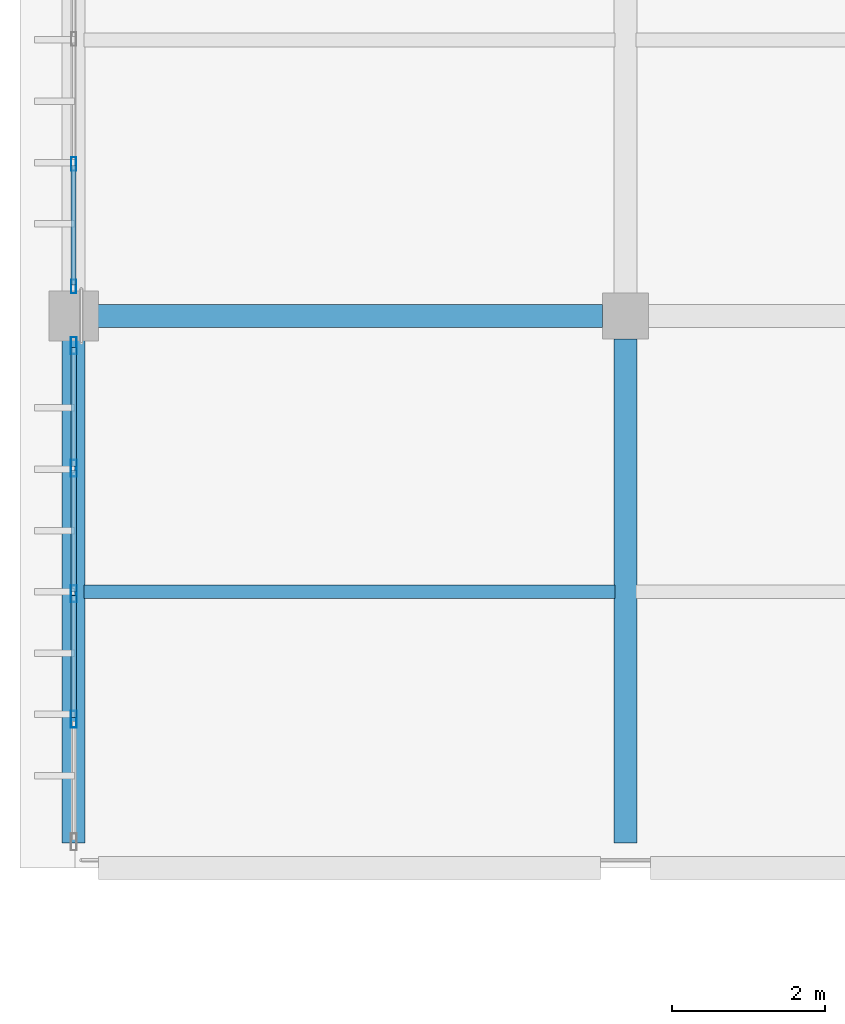
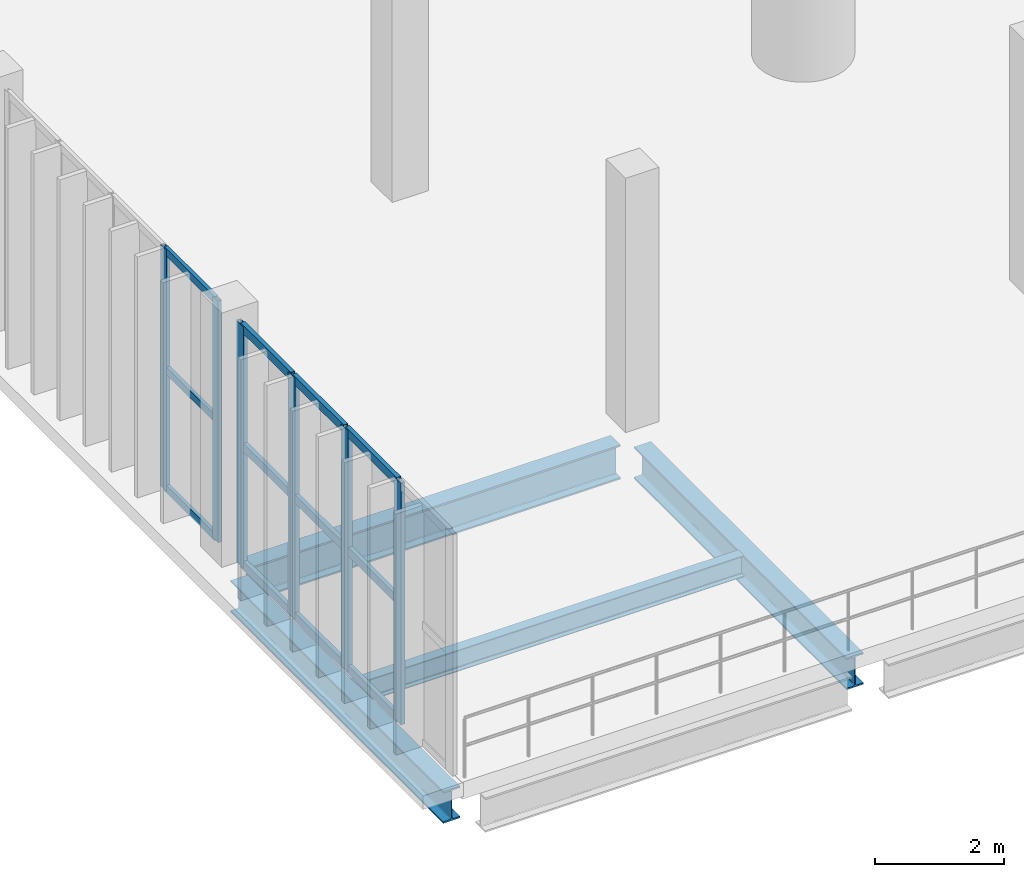
# One storey, part 5 of 105: 18 members, 4 beams, 2 elements without a shape of their own.
"""IFC4 building model written with IfcOpenShell, lengths in metres."""

from ifc_helpers import new_model, si_unit, direction, frame, origin, origin_2d, place, context, subcontext, project, spatial, hollow_rectangle, i_section, extrude, material, material_profile, profile_set, type_object, element, aggregate, save


model = new_model("IFC4")

# Units and contexts
model_context = context("Model", 3, precision=1e-05, world=origin(), true_north=direction((0.0, 1.0)))
body_context = subcontext(model_context, "Body", "Model", "MODEL_VIEW")
ifc_project = project(units=[si_unit("LENGTHUNIT", "METRE"), si_unit("AREAUNIT", "SQUARE_METRE"), si_unit("VOLUMEUNIT", "CUBIC_METRE"), si_unit("PLANEANGLEUNIT", "RADIAN"), si_unit("MASSUNIT", "GRAM", prefix="KILO")], contexts=[model_context])

# Site, building, storey
site_placement = place(None, origin())
site = spatial("IfcSite", under=ifc_project, at=site_placement, CompositionType="ELEMENT")
building_placement = place(site_placement, origin())
building = spatial("IfcBuilding", under=site, at=building_placement, Name="Qandorah Velis Arena", CompositionType="ELEMENT")
storey_placement = place(building_placement, frame((0.0, 0.0, 13.800048828125)))
storey = spatial("IfcBuildingStorey", under=building, at=storey_placement, Name="L03", CompositionType="ELEMENT", Elevation=13.800048828125)

# Curtain wall, members
ifc_material_1 = material(Name="Solar-control low-E double glazing", Category="glass")
curtain_wall_type_1 = type_object("IfcCurtainWallType", Name="ARC-CW-SYS22", PredefinedType="USERDEFINED", material=ifc_material_1)
curtain_wall_1_placement = place(storey_placement, origin())
curtain_wall_1 = element("IfcCurtainWall", 1, at=curtain_wall_1_placement, inside=storey, type_object=curtain_wall_type_1, Name="Unitised curtain wall L03-022", ObjectType="UNITISED CURTAIN WALL", PredefinedType="USERDEFINED")
ifc_material_2 = material(Name="Champagne-bronze anodized aluminium 6063-T6", Category="aluminium")
ifc_material_profile_1 = material_profile(ifc_material_2, hollow_rectangle(XDim=0.06494140625, YDim=0.179931640625, WallThickness=0.00341796875, at=origin_2d()), Name="ALU MULLION 65x180")
ifc_profile_set_1 = profile_set([ifc_material_profile_1], Name="Champagne-bronze anodized aluminium 6063-T6")
member_type_1 = type_object("IfcMemberType", Name="ARC-CWM-180", PredefinedType="MULLION", material=ifc_profile_set_1)
member_1_placement = place(storey_placement, frame((0.0, 21.982421875, -0.01513671875), z_axis=(0.0, 0.0, 1.0), x_axis=(-1.0, 0.0, 0.0)))
member_1 = element("IfcMember", 2, at=member_1_placement, type_object=member_type_1, Name="CW22 mullion 1", PredefinedType="MULLION", context=body_context, shape_type="SweptSolid", body=[
    extrude(hollow_rectangle(XDim=0.06494140625, YDim=0.179931640625, WallThickness=0.00341796875, at=origin_2d()), origin(), (0.0, 0.0, 1.0), 4.56005859375),
])
member_2_placement = place(storey_placement, frame((0.0, 23.581298828125, -0.01513671875), z_axis=(0.0, 0.0, 1.0), x_axis=(-1.0, 0.0, 0.0)))
member_2 = element("IfcMember", 3, at=member_2_placement, type_object=member_type_1, Name="CW22 mullion 2", PredefinedType="MULLION", context=body_context, shape_type="SweptSolid", body=[
    extrude(hollow_rectangle(XDim=0.06494140625, YDim=0.179931640625, WallThickness=0.00341796875, at=origin_2d()), origin(), (0.0, 0.0, 1.0), 4.56005859375),
])

curtain_wall_type_2 = type_object("IfcCurtainWallType", Name="ARC-CW-SYS21", PredefinedType="USERDEFINED", material=ifc_material_1)
curtain_wall_2_placement = place(storey_placement, origin())
curtain_wall_2 = element("IfcCurtainWall", 4, at=curtain_wall_2_placement, inside=storey, type_object=curtain_wall_type_2, Name="Unitised curtain wall L03-021", ObjectType="UNITISED CURTAIN WALL", PredefinedType="USERDEFINED")
ifc_material_profile_2 = material_profile(ifc_material_2, hollow_rectangle(XDim=0.074951171875, YDim=0.219970703125, WallThickness=0.00390625, at=origin_2d()), Name="ALU MULLION 75x220")
ifc_profile_set_2 = profile_set([ifc_material_profile_2], Name="Champagne-bronze anodized aluminium 6063-T6")
member_type_2 = type_object("IfcMemberType", Name="ARC-CWM-220", PredefinedType="MULLION", material=ifc_profile_set_2)
member_3_placement = place(storey_placement, frame((0.0, 16.33740234375, -0.01513671875), z_axis=(0.0, 0.0, 1.0), x_axis=(-1.0, 0.0, 0.0)))
member_3 = element("IfcMember", 5, at=member_3_placement, type_object=member_type_2, Name="CW21 mullion 2", PredefinedType="MULLION", context=body_context, shape_type="SweptSolid", body=[
    extrude(hollow_rectangle(XDim=0.074951171875, YDim=0.219970703125, WallThickness=0.00390625, at=origin_2d()), origin(), (0.0, 0.0, 1.0), 4.56005859375),
])
member_4_placement = place(storey_placement, frame((0.0, 17.97509765625, -0.01513671875), z_axis=(0.0, 0.0, 1.0), x_axis=(-1.0, 0.0, 0.0)))
member_4 = element("IfcMember", 6, at=member_4_placement, type_object=member_type_2, Name="CW21 mullion 3", PredefinedType="MULLION", context=body_context, shape_type="SweptSolid", body=[
    extrude(hollow_rectangle(XDim=0.074951171875, YDim=0.219970703125, WallThickness=0.00390625, at=origin_2d()), origin(), (0.0, 0.0, 1.0), 4.56005859375),
])
member_5_placement = place(storey_placement, frame((0.0, 19.612548828125, -0.01513671875), z_axis=(0.0, 0.0, 1.0), x_axis=(-1.0, 0.0, 0.0)))
member_5 = element("IfcMember", 7, at=member_5_placement, type_object=member_type_2, Name="CW21 mullion 4", PredefinedType="MULLION", context=body_context, shape_type="SweptSolid", body=[
    extrude(hollow_rectangle(XDim=0.074951171875, YDim=0.219970703125, WallThickness=0.00390625, at=origin_2d()), origin(), (0.0, 0.0, 1.0), 4.56005859375),
])
member_6_placement = place(storey_placement, frame((0.0, 21.21240234375, -0.01513671875), z_axis=(0.0, 0.0, 1.0), x_axis=(-1.0, 0.0, 0.0)))
member_6 = element("IfcMember", 8, at=member_6_placement, type_object=member_type_2, Name="CW21 mullion 5", PredefinedType="MULLION", context=body_context, shape_type="SweptSolid", body=[
    extrude(hollow_rectangle(XDim=0.074951171875, YDim=0.219970703125, WallThickness=0.00390625, at=origin_2d()), origin(), (0.0, 0.0, 1.0), 4.56005859375),
])

# Member
ifc_material_profile_3 = material_profile(ifc_material_2, hollow_rectangle(XDim=0.06494140625, YDim=0.139892578125, WallThickness=0.0029296875, at=origin_2d()), Name="ALU TRANSOM 65x140")
ifc_profile_set_3 = profile_set([ifc_material_profile_3], Name="Champagne-bronze anodized aluminium 6063-T6")
member_type_3 = type_object("IfcMemberType", Name="ARC-CWT-140", PredefinedType="USERDEFINED", material=ifc_profile_set_3)
member_7_placement = place(storey_placement, frame((0.0, 22.0029296875, 0.032470703125), z_axis=(0.0, 1.0, 0.0), x_axis=(-1.0, 0.0, 0.0)))
member_7 = element("IfcMember", 9, at=member_7_placement, type_object=member_type_3, Name="CW22 transom 1.1", ObjectType="TRANSOM", PredefinedType="USERDEFINED", context=body_context, shape_type="SweptSolid", body=[
    extrude(hollow_rectangle(XDim=0.06494140625, YDim=0.139892578125, WallThickness=0.0029296875, at=origin_2d()), origin(), (0.0, 0.0, 1.0), 1.557861328125),
])

member_8_placement = place(storey_placement, frame((0.0, 22.0029296875, 2.264892578125), z_axis=(0.0, 1.0, 0.0), x_axis=(-1.0, 0.0, 0.0)))
member_8 = element("IfcMember", 10, at=member_8_placement, type_object=member_type_3, Name="CW22 transom 1.2", ObjectType="TRANSOM", PredefinedType="USERDEFINED", context=body_context, shape_type="SweptSolid", body=[
    extrude(hollow_rectangle(XDim=0.06494140625, YDim=0.139892578125, WallThickness=0.0029296875, at=origin_2d()), origin(), (0.0, 0.0, 1.0), 1.557861328125),
])

member_9_placement = place(storey_placement, frame((0.0, 22.0029296875, 4.49755859375), z_axis=(0.0, 1.0, 0.0), x_axis=(-1.0, 0.0, 0.0)))
member_9 = element("IfcMember", 11, at=member_9_placement, type_object=member_type_3, Name="CW22 transom 1.3", ObjectType="TRANSOM", PredefinedType="USERDEFINED", context=body_context, shape_type="SweptSolid", body=[
    extrude(hollow_rectangle(XDim=0.06494140625, YDim=0.139892578125, WallThickness=0.0029296875, at=origin_2d()), origin(), (0.0, 0.0, 1.0), 1.557861328125),
])

aggregate(curtain_wall_1, [member_1, member_2, member_7, member_8, member_9])

ifc_material_profile_4 = material_profile(ifc_material_2, hollow_rectangle(XDim=0.074951171875, YDim=0.159912109375, WallThickness=0.00341796875, at=origin_2d()), Name="ALU TRANSOM 75x160")
ifc_profile_set_4 = profile_set([ifc_material_profile_4], Name="Champagne-bronze anodized aluminium 6063-T6")
member_type_4 = type_object("IfcMemberType", Name="ARC-CWT-160", PredefinedType="USERDEFINED", material=ifc_profile_set_4)
member_10_placement = place(storey_placement, frame((0.0, 16.363037109375, 0.037353515625), z_axis=(0.0, 1.0, 0.0), x_axis=(-1.0, 0.0, 0.0)))
member_10 = element("IfcMember", 12, at=member_10_placement, type_object=member_type_4, Name="CW21 transom 2.1", ObjectType="TRANSOM", PredefinedType="USERDEFINED", context=body_context, shape_type="SweptSolid", body=[
    extrude(hollow_rectangle(XDim=0.074951171875, YDim=0.159912109375, WallThickness=0.00341796875, at=origin_2d()), origin(), (0.0, 0.0, 1.0), 1.58642578125),
])

member_11_placement = place(storey_placement, frame((0.0, 16.363037109375, 2.264892578125), z_axis=(0.0, 1.0, 0.0), x_axis=(-1.0, 0.0, 0.0)))
member_11 = element("IfcMember", 13, at=member_11_placement, type_object=member_type_4, Name="CW21 transom 2.2", ObjectType="TRANSOM", PredefinedType="USERDEFINED", context=body_context, shape_type="SweptSolid", body=[
    extrude(hollow_rectangle(XDim=0.074951171875, YDim=0.159912109375, WallThickness=0.00341796875, at=origin_2d()), origin(), (0.0, 0.0, 1.0), 1.58642578125),
])

member_12_placement = place(storey_placement, frame((0.0, 16.363037109375, 4.492431640625), z_axis=(0.0, 1.0, 0.0), x_axis=(-1.0, 0.0, 0.0)))
member_12 = element("IfcMember", 14, at=member_12_placement, type_object=member_type_4, Name="CW21 transom 2.3", ObjectType="TRANSOM", PredefinedType="USERDEFINED", context=body_context, shape_type="SweptSolid", body=[
    extrude(hollow_rectangle(XDim=0.074951171875, YDim=0.159912109375, WallThickness=0.00341796875, at=origin_2d()), origin(), (0.0, 0.0, 1.0), 1.58642578125),
])

member_13_placement = place(storey_placement, frame((0.0, 18.00048828125, 0.037353515625), z_axis=(0.0, 1.0, 0.0), x_axis=(-1.0, 0.0, 0.0)))
member_13 = element("IfcMember", 15, at=member_13_placement, type_object=member_type_4, Name="CW21 transom 3.1", ObjectType="TRANSOM", PredefinedType="USERDEFINED", context=body_context, shape_type="SweptSolid", body=[
    extrude(hollow_rectangle(XDim=0.074951171875, YDim=0.159912109375, WallThickness=0.00341796875, at=origin_2d()), origin(), (0.0, 0.0, 1.0), 1.58642578125),
])

member_14_placement = place(storey_placement, frame((0.0, 18.00048828125, 2.264892578125), z_axis=(0.0, 1.0, 0.0), x_axis=(-1.0, 0.0, 0.0)))
member_14 = element("IfcMember", 16, at=member_14_placement, type_object=member_type_4, Name="CW21 transom 3.2", ObjectType="TRANSOM", PredefinedType="USERDEFINED", context=body_context, shape_type="SweptSolid", body=[
    extrude(hollow_rectangle(XDim=0.074951171875, YDim=0.159912109375, WallThickness=0.00341796875, at=origin_2d()), origin(), (0.0, 0.0, 1.0), 1.58642578125),
])

member_15_placement = place(storey_placement, frame((0.0, 18.00048828125, 4.492431640625), z_axis=(0.0, 1.0, 0.0), x_axis=(-1.0, 0.0, 0.0)))
member_15 = element("IfcMember", 17, at=member_15_placement, type_object=member_type_4, Name="CW21 transom 3.3", ObjectType="TRANSOM", PredefinedType="USERDEFINED", context=body_context, shape_type="SweptSolid", body=[
    extrude(hollow_rectangle(XDim=0.074951171875, YDim=0.159912109375, WallThickness=0.00341796875, at=origin_2d()), origin(), (0.0, 0.0, 1.0), 1.58642578125),
])

member_16_placement = place(storey_placement, frame((0.0, 19.637939453125, 0.037353515625), z_axis=(0.0, 1.0, 0.0), x_axis=(-1.0, 0.0, 0.0)))
member_16 = element("IfcMember", 18, at=member_16_placement, type_object=member_type_4, Name="CW21 transom 4.1", ObjectType="TRANSOM", PredefinedType="USERDEFINED", context=body_context, shape_type="SweptSolid", body=[
    extrude(hollow_rectangle(XDim=0.074951171875, YDim=0.159912109375, WallThickness=0.00341796875, at=origin_2d()), origin(), (0.0, 0.0, 1.0), 1.549072265625),
])

member_17_placement = place(storey_placement, frame((0.0, 19.637939453125, 2.264892578125), z_axis=(0.0, 1.0, 0.0), x_axis=(-1.0, 0.0, 0.0)))
member_17 = element("IfcMember", 19, at=member_17_placement, type_object=member_type_4, Name="CW21 transom 4.2", ObjectType="TRANSOM", PredefinedType="USERDEFINED", context=body_context, shape_type="SweptSolid", body=[
    extrude(hollow_rectangle(XDim=0.074951171875, YDim=0.159912109375, WallThickness=0.00341796875, at=origin_2d()), origin(), (0.0, 0.0, 1.0), 1.549072265625),
])

member_18_placement = place(storey_placement, frame((0.0, 19.637939453125, 4.492431640625), z_axis=(0.0, 1.0, 0.0), x_axis=(-1.0, 0.0, 0.0)))
member_18 = element("IfcMember", 20, at=member_18_placement, type_object=member_type_4, Name="CW21 transom 4.3", ObjectType="TRANSOM", PredefinedType="USERDEFINED", context=body_context, shape_type="SweptSolid", body=[
    extrude(hollow_rectangle(XDim=0.074951171875, YDim=0.159912109375, WallThickness=0.00341796875, at=origin_2d()), origin(), (0.0, 0.0, 1.0), 1.549072265625),
])

aggregate(curtain_wall_2, [member_3, member_4, member_5, member_6, member_10, member_11, member_12, member_13, member_14, member_15, member_16, member_17, member_18])

# Beams
ifc_material_3 = material(Name="Steel S355", Category="steel")
ifc_material_profile_5 = material_profile(ifc_material_3, i_section(OverallWidth=0.300048828125, OverallDepth=0.60009765625, WebThickness=0.015380859375, FlangeThickness=0.030029296875, FilletRadius=0.027099609375, at=origin_2d()), Name="HEB 600")
ifc_profile_set_5 = profile_set([ifc_material_profile_5], Name="Steel S355")
beam_type_1 = type_object("IfcBeamType", Name="STR-BM-HEB600", PredefinedType="BEAM", material=ifc_profile_set_5)
for number, where, z_axis, x_axis, name in (
    (21, (0.0, 14.72509765625, -0.6201171875), (0.0, 1.0, 0.0), (-1.0, 0.0, 0.0), "Primary floor girder L03 Y-178"),
    (22, (7.199951171875, 14.72509765625, -0.6201171875), (0.0, 1.0, 0.0), (-1.0, 0.0, 0.0), "Primary floor girder L03 Y-192"),
):
    element("IfcBeam", number, at=place(storey_placement, frame(where, z_axis=z_axis, x_axis=x_axis)), inside=storey, type_object=beam_type_1, Name=name, PredefinedType="BEAM", context=body_context, shape_type="SweptSolid", body=[
        extrude(i_section(OverallWidth=0.300048828125, OverallDepth=0.60009765625, WebThickness=0.015380859375, FlangeThickness=0.030029296875, FilletRadius=0.027099609375, at=origin_2d()), origin(), (0.0, 0.0, 1.0), 6.574951171875),
    ])
ifc_material_profile_6 = material_profile(ifc_material_3, i_section(OverallWidth=0.300048828125, OverallDepth=0.64990234375, WebThickness=0.01611328125, FlangeThickness=0.031005859375, FilletRadius=0.027099609375, at=origin_2d()), Name="HEB 650")
ifc_profile_set_6 = profile_set([ifc_material_profile_6], Name="Steel S355")
beam_type_2 = type_object("IfcBeamType", Name="STR-BM-HEB650", PredefinedType="BEAM", material=ifc_profile_set_6)
beam_1_placement = place(storey_placement, frame((0.300048828125, 21.60009765625, -0.64501953125), z_axis=(1.0, 0.0, 0.0), x_axis=(0.0, 1.0, 0.0)))
element("IfcBeam", 23, at=beam_1_placement, inside=storey, type_object=beam_type_2, Name="Primary floor girder L03 X-041", PredefinedType="BEAM", context=body_context, shape_type="SweptSolid", body=[
    extrude(i_section(OverallWidth=0.300048828125, OverallDepth=0.64990234375, WebThickness=0.01611328125, FlangeThickness=0.031005859375, FilletRadius=0.027099609375, at=origin_2d()), origin(), (0.0, 0.0, 1.0), 6.599853515625),
])
ifc_material_profile_7 = material_profile(ifc_material_3, i_section(OverallWidth=0.179931640625, OverallDepth=0.39990234375, WebThickness=0.008544921875, FlangeThickness=0.013427734375, FilletRadius=0.02099609375, at=origin_2d()), Name="IPE 400")
ifc_profile_set_7 = profile_set([ifc_material_profile_7], Name="Steel S355")
beam_type_3 = type_object("IfcBeamType", Name="STR-JST-IPE400", PredefinedType="JOIST", material=ifc_profile_set_7)
beam_2_placement = place(storey_placement, frame((0.135009765625, 18.0, -0.52001953125), z_axis=(1.0, 0.0, 0.0), x_axis=(0.0, 1.0, 0.0)))
element("IfcBeam", 24, at=beam_2_placement, inside=storey, type_object=beam_type_3, Name="Secondary floor joist L03-001", PredefinedType="JOIST", context=body_context, shape_type="SweptSolid", body=[
    extrude(i_section(OverallWidth=0.179931640625, OverallDepth=0.39990234375, WebThickness=0.008544921875, FlangeThickness=0.013427734375, FilletRadius=0.02099609375, at=origin_2d()), origin(), (0.0, 0.0, 1.0), 6.929931640625),
])

save(model, "model.ifc")
